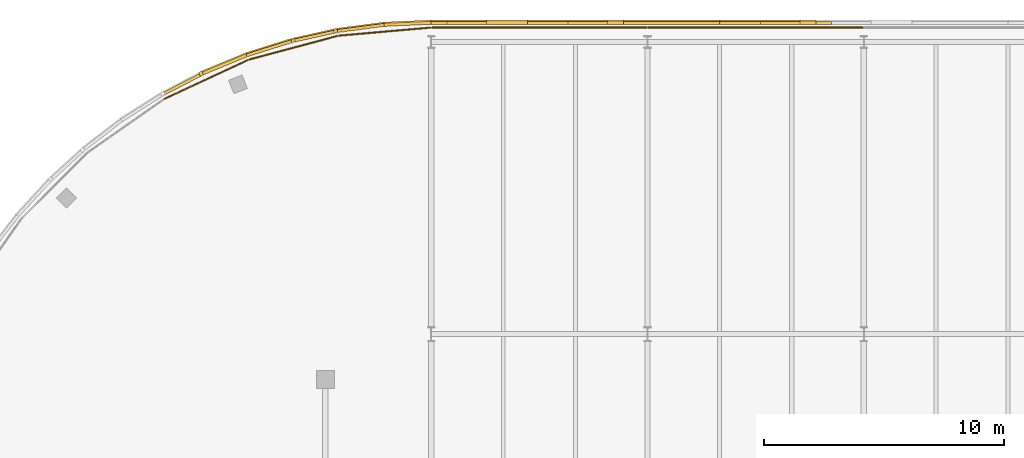
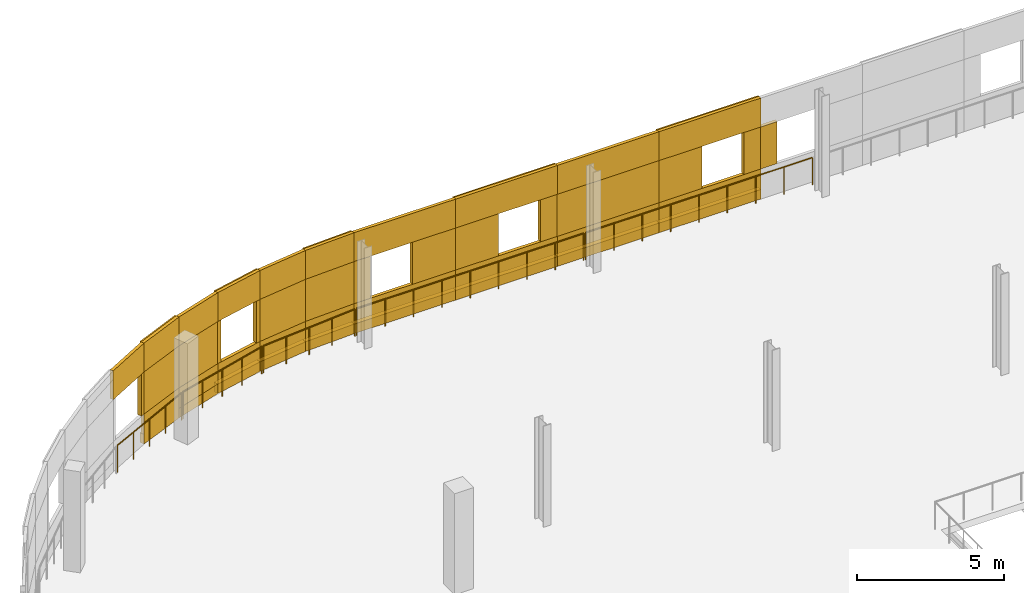
# One storey, part 80 of 88: 48 coverings, 5 railings.
"""IFC4 building model written with IfcOpenShell, lengths in metres."""

from ifc_helpers import new_model, si_unit, direction, frame, origin, origin_2d, place, context, subcontext, project, spatial, rectangle, circle, extrude, material, layer, layer_set, type_object, element, save


model = new_model("IFC4")

# Units and contexts
model_context = context("Model", 3, precision=1e-05, world=origin(), true_north=direction((0.0, 1.0)))
body_context = subcontext(model_context, "Body", "Model", "MODEL_VIEW")
ifc_project = project(units=[si_unit("LENGTHUNIT", "METRE"), si_unit("AREAUNIT", "SQUARE_METRE"), si_unit("VOLUMEUNIT", "CUBIC_METRE"), si_unit("PLANEANGLEUNIT", "RADIAN"), si_unit("MASSUNIT", "GRAM", prefix="KILO")], contexts=[model_context])

# Site, building, storey
site_placement = place(None, origin())
site = spatial("IfcSite", under=ifc_project, at=site_placement, CompositionType="ELEMENT")
building_placement = place(site_placement, origin())
building = spatial("IfcBuilding", under=site, at=building_placement, Name="Deido Ridge Mobility Hub", CompositionType="ELEMENT")
storey_placement = place(building_placement, frame((0.0, 0.0, 16.800048828125)))
storey = spatial("IfcBuildingStorey", under=building, at=storey_placement, Name="L04", CompositionType="ELEMENT", Elevation=16.800048828125)

# Coverings
ifc_material_1 = material(Name="Fired clay brick masonry", Category="masonry")
ifc_layer = layer(ifc_material_1, 0.114990234375, Name="Fired clay brick masonry")
ifc_layer_set = layer_set([ifc_layer], Name="Fired clay brick masonry")
covering_type = type_object("IfcCoveringType", Name="COV-BRK-SCREEN-115", PredefinedType="CLADDING", material=ifc_layer_set)
covering_1_placement = place(storey_placement, frame((61.327392578125, 125.947509765625, 1.25), z_axis=(0.0, 0.0, 1.0), x_axis=(-1.0, 0.0, 0.0)))
element("IfcCovering", 1, at=covering_1_placement, inside=storey, type_object=covering_type, Name="Open brickwork pier BKS1 (L04)", PredefinedType="CLADDING", context=body_context, shape_type="SweptSolid", body=[
    extrude(rectangle(XDim=0.655029296875, YDim=0.125, at=origin_2d()), origin(), (0.0, 0.0, 1.0), 1.75),
])
covering_2_placement = place(storey_placement, frame((59.0, 125.947509765625, 0.0), z_axis=(0.0, 0.0, 1.0), x_axis=(-1.0, 0.0, 0.0)))
element("IfcCovering", 2, at=covering_2_placement, inside=storey, type_object=covering_type, Name="Open brickwork spandrel course BKS1 (L04)", PredefinedType="CLADDING", context=body_context, shape_type="SweptSolid", body=[
    extrude(rectangle(XDim=4.01611328125, YDim=0.125, at=origin_2d()), origin(), (0.0, 0.0, 1.0), 1.25),
])
covering_3_placement = place(storey_placement, frame((59.0, 125.97509765625, 0.0), z_axis=(0.0, 0.0, 1.0), x_axis=(-1.0, 0.0, 0.0)))
element("IfcCovering", 3, at=covering_3_placement, inside=storey, type_object=covering_type, Name="Raised brick relief belt BKS1 (L04)", PredefinedType="CLADDING", context=body_context, shape_type="SweptSolid", body=[
    extrude(rectangle(XDim=4.01611328125, YDim=0.179931640625, at=origin_2d()), origin(), (0.0, 0.0, 1.0), 0.39990234375),
])
covering_4_placement = place(storey_placement, frame((59.0, 125.947509765625, 3.0), z_axis=(0.0, 0.0, 1.0), x_axis=(-1.0, 0.0, 0.0)))
element("IfcCovering", 4, at=covering_4_placement, inside=storey, type_object=covering_type, Name="Open brickwork lintel course BKS1 (L04)", PredefinedType="CLADDING", context=body_context, shape_type="SweptSolid", body=[
    extrude(rectangle(XDim=4.01611328125, YDim=0.125, at=origin_2d()), origin(), (0.0, 0.0, 1.0), 1.199951171875),
])
covering_5_placement = place(storey_placement, frame((59.0, 125.97509765625, 3.83984375), z_axis=(0.0, 0.0, 1.0), x_axis=(-1.0, 0.0, 0.0)))
element("IfcCovering", 5, at=covering_5_placement, inside=storey, type_object=covering_type, Name="Raised brick relief cornice BKS1 (L04)", PredefinedType="CLADDING", context=body_context, shape_type="SweptSolid", body=[
    extrude(rectangle(XDim=4.01611328125, YDim=0.179931640625, at=origin_2d()), origin(), (0.0, 0.0, 1.0), 0.360107421875),
])
covering_6_placement = place(storey_placement, frame((60.672607421875, 125.97509765625, 1.25), z_axis=(0.0, 0.0, 1.0), x_axis=(-1.0, 0.0, 0.0)))
element("IfcCovering", 6, at=covering_6_placement, inside=storey, type_object=covering_type, Name="Open brickwork pier BKS1 (L04)", PredefinedType="CLADDING", context=body_context, shape_type="SweptSolid", body=[
    extrude(rectangle(XDim=0.655029296875, YDim=0.179931640625, at=origin_2d()), origin(), (0.0, 0.0, 1.0), 1.75),
])
covering_7_placement = place(storey_placement, frame((57.847412109375, 125.947509765625, 1.25), z_axis=(0.0, 0.0, 1.0), x_axis=(-1.0, 0.0, 0.0)))
element("IfcCovering", 7, at=covering_7_placement, inside=storey, type_object=covering_type, Name="Open brickwork pier BKS1 (L04)", PredefinedType="CLADDING", context=body_context, shape_type="SweptSolid", body=[
    extrude(rectangle(XDim=1.695068359375, YDim=0.125, at=origin_2d()), origin(), (0.0, 0.0, 1.0), 1.75),
])
covering_8_placement = place(storey_placement, frame((55.0, 125.947509765625, 0.0), z_axis=(0.0, 0.0, 1.0), x_axis=(-1.0, 0.0, 0.0)))
element("IfcCovering", 8, at=covering_8_placement, inside=storey, type_object=covering_type, Name="Open brickwork spandrel course BKS1 (L04)", PredefinedType="CLADDING", context=body_context, shape_type="SweptSolid", body=[
    extrude(rectangle(XDim=4.01611328125, YDim=0.125, at=origin_2d()), origin(), (0.0, 0.0, 1.0), 1.25),
])
covering_9_placement = place(storey_placement, frame((55.0, 125.97509765625, 0.0), z_axis=(0.0, 0.0, 1.0), x_axis=(-1.0, 0.0, 0.0)))
element("IfcCovering", 9, at=covering_9_placement, inside=storey, type_object=covering_type, Name="Raised brick relief belt BKS1 (L04)", PredefinedType="CLADDING", context=body_context, shape_type="SweptSolid", body=[
    extrude(rectangle(XDim=4.01611328125, YDim=0.179931640625, at=origin_2d()), origin(), (0.0, 0.0, 1.0), 0.39990234375),
])
covering_10_placement = place(storey_placement, frame((55.0, 125.947509765625, 3.0), z_axis=(0.0, 0.0, 1.0), x_axis=(-1.0, 0.0, 0.0)))
element("IfcCovering", 10, at=covering_10_placement, inside=storey, type_object=covering_type, Name="Open brickwork lintel course BKS1 (L04)", PredefinedType="CLADDING", context=body_context, shape_type="SweptSolid", body=[
    extrude(rectangle(XDim=4.01611328125, YDim=0.125, at=origin_2d()), origin(), (0.0, 0.0, 1.0), 1.199951171875),
])
covering_11_placement = place(storey_placement, frame((55.0, 125.97509765625, 1.25), z_axis=(0.0, 0.0, 1.0), x_axis=(-1.0, 0.0, 0.0)))
element("IfcCovering", 11, at=covering_11_placement, inside=storey, type_object=covering_type, Name="Raised brick relief panel BKS1 (L04)", PredefinedType="CLADDING", context=body_context, shape_type="SweptSolid", body=[
    extrude(rectangle(XDim=4.008056640625, YDim=0.179931640625, at=origin_2d()), origin(), (0.0, 0.0, 1.0), 1.75),
])
covering_12_placement = place(storey_placement, frame((51.0, 125.947509765625, 0.0), z_axis=(0.0, 0.0, 1.0), x_axis=(-1.0, 0.0, 0.0)))
element("IfcCovering", 12, at=covering_12_placement, inside=storey, type_object=covering_type, Name="Open brickwork spandrel course BKS1 (L04)", PredefinedType="CLADDING", context=body_context, shape_type="SweptSolid", body=[
    extrude(rectangle(XDim=4.01611328125, YDim=0.125, at=origin_2d()), origin(), (0.0, 0.0, 1.0), 1.25),
])
covering_13_placement = place(storey_placement, frame((51.0, 125.97509765625, 0.0), z_axis=(0.0, 0.0, 1.0), x_axis=(-1.0, 0.0, 0.0)))
element("IfcCovering", 13, at=covering_13_placement, inside=storey, type_object=covering_type, Name="Raised brick relief belt BKS1 (L04)", PredefinedType="CLADDING", context=body_context, shape_type="SweptSolid", body=[
    extrude(rectangle(XDim=4.01611328125, YDim=0.179931640625, at=origin_2d()), origin(), (0.0, 0.0, 1.0), 0.39990234375),
])
covering_14_placement = place(storey_placement, frame((51.0, 125.947509765625, 3.0), z_axis=(0.0, 0.0, 1.0), x_axis=(-1.0, 0.0, 0.0)))
element("IfcCovering", 14, at=covering_14_placement, inside=storey, type_object=covering_type, Name="Open brickwork lintel course BKS1 (L04)", PredefinedType="CLADDING", context=body_context, shape_type="SweptSolid", body=[
    extrude(rectangle(XDim=4.01611328125, YDim=0.125, at=origin_2d()), origin(), (0.0, 0.0, 1.0), 1.199951171875),
])
covering_15_placement = place(storey_placement, frame((51.0, 125.97509765625, 3.83984375), z_axis=(0.0, 0.0, 1.0), x_axis=(-1.0, 0.0, 0.0)))
element("IfcCovering", 15, at=covering_15_placement, inside=storey, type_object=covering_type, Name="Raised brick relief cornice BKS1 (L04)", PredefinedType="CLADDING", context=body_context, shape_type="SweptSolid", body=[
    extrude(rectangle(XDim=4.01611328125, YDim=0.179931640625, at=origin_2d()), origin(), (0.0, 0.0, 1.0), 0.360107421875),
])
covering_16_placement = place(storey_placement, frame((52.672607421875, 125.97509765625, 1.25), z_axis=(0.0, 0.0, 1.0), x_axis=(-1.0, 0.0, 0.0)))
element("IfcCovering", 16, at=covering_16_placement, inside=storey, type_object=covering_type, Name="Open brickwork pier BKS1 (L04)", PredefinedType="CLADDING", context=body_context, shape_type="SweptSolid", body=[
    extrude(rectangle(XDim=0.655029296875, YDim=0.179931640625, at=origin_2d()), origin(), (0.0, 0.0, 1.0), 1.75),
])
covering_17_placement = place(storey_placement, frame((49.847412109375, 125.947509765625, 1.25), z_axis=(0.0, 0.0, 1.0), x_axis=(-1.0, 0.0, 0.0)))
element("IfcCovering", 17, at=covering_17_placement, inside=storey, type_object=covering_type, Name="Open brickwork pier BKS1 (L04)", PredefinedType="CLADDING", context=body_context, shape_type="SweptSolid", body=[
    extrude(rectangle(XDim=1.695068359375, YDim=0.125, at=origin_2d()), origin(), (0.0, 0.0, 1.0), 1.75),
])
covering_18_placement = place(storey_placement, frame((47.0, 125.947509765625, 0.0), z_axis=(0.0, 0.0, 1.0), x_axis=(-1.0, 0.0, 0.0)))
element("IfcCovering", 18, at=covering_18_placement, inside=storey, type_object=covering_type, Name="Open brickwork spandrel course BKS1 (L04)", PredefinedType="CLADDING", context=body_context, shape_type="SweptSolid", body=[
    extrude(rectangle(XDim=4.01611328125, YDim=0.125, at=origin_2d()), origin(), (0.0, 0.0, 1.0), 1.25),
])
covering_19_placement = place(storey_placement, frame((47.0, 125.97509765625, 0.0), z_axis=(0.0, 0.0, 1.0), x_axis=(-1.0, 0.0, 0.0)))
element("IfcCovering", 19, at=covering_19_placement, inside=storey, type_object=covering_type, Name="Raised brick relief belt BKS1 (L04)", PredefinedType="CLADDING", context=body_context, shape_type="SweptSolid", body=[
    extrude(rectangle(XDim=4.01611328125, YDim=0.179931640625, at=origin_2d()), origin(), (0.0, 0.0, 1.0), 0.39990234375),
])
covering_20_placement = place(storey_placement, frame((47.0, 125.947509765625, 3.0), z_axis=(0.0, 0.0, 1.0), x_axis=(-1.0, 0.0, 0.0)))
element("IfcCovering", 20, at=covering_20_placement, inside=storey, type_object=covering_type, Name="Open brickwork lintel course BKS1 (L04)", PredefinedType="CLADDING", context=body_context, shape_type="SweptSolid", body=[
    extrude(rectangle(XDim=4.01611328125, YDim=0.125, at=origin_2d()), origin(), (0.0, 0.0, 1.0), 1.199951171875),
])
covering_21_placement = place(storey_placement, frame((48.152587890625, 125.97509765625, 1.25), z_axis=(0.0, 0.0, 1.0), x_axis=(-1.0, 0.0, 0.0)))
element("IfcCovering", 21, at=covering_21_placement, inside=storey, type_object=covering_type, Name="Open brickwork pier BKS1 (L04)", PredefinedType="CLADDING", context=body_context, shape_type="SweptSolid", body=[
    extrude(rectangle(XDim=1.695068359375, YDim=0.179931640625, at=origin_2d()), origin(), (0.0, 0.0, 1.0), 1.75),
])
covering_22_placement = place(storey_placement, frame((45.327392578125, 125.947509765625, 1.25), z_axis=(0.0, 0.0, 1.0), x_axis=(-1.0, 0.0, 0.0)))
element("IfcCovering", 22, at=covering_22_placement, inside=storey, type_object=covering_type, Name="Open brickwork pier BKS1 (L04)", PredefinedType="CLADDING", context=body_context, shape_type="SweptSolid", body=[
    extrude(rectangle(XDim=0.655029296875, YDim=0.125, at=origin_2d()), origin(), (0.0, 0.0, 1.0), 1.75),
])
covering_23_placement = place(storey_placement, frame((44.021728515625, 125.90478515625, 0.0), z_axis=(0.0, 0.0, 1.0), x_axis=(-0.999048982732, -0.043601950678, 0.0)))
element("IfcCovering", 23, at=covering_23_placement, inside=storey, type_object=covering_type, Name="Open brickwork spandrel course BKS1 (L04)", PredefinedType="CLADDING", context=body_context, shape_type="SweptSolid", body=[
    extrude(rectangle(XDim=1.9619140625, YDim=0.125, at=origin_2d()), origin(), (0.0, 0.0, 1.0), 1.25),
])
covering_24_placement = place(storey_placement, frame((44.0205078125, 125.932373046875, 0.0), z_axis=(0.0, 0.0, 1.0), x_axis=(-0.999048982732, -0.043601950678, 0.0)))
element("IfcCovering", 24, at=covering_24_placement, inside=storey, type_object=covering_type, Name="Raised brick relief belt BKS1 (L04)", PredefinedType="CLADDING", context=body_context, shape_type="SweptSolid", body=[
    extrude(rectangle(XDim=1.9619140625, YDim=0.179931640625, at=origin_2d()), origin(), (0.0, 0.0, 1.0), 0.39990234375),
])
covering_25_placement = place(storey_placement, frame((44.021728515625, 125.90478515625, 3.0), z_axis=(0.0, 0.0, 1.0), x_axis=(-0.999048982732, -0.043601950678, 0.0)))
element("IfcCovering", 25, at=covering_25_placement, inside=storey, type_object=covering_type, Name="Open brickwork lintel course BKS1 (L04)", PredefinedType="CLADDING", context=body_context, shape_type="SweptSolid", body=[
    extrude(rectangle(XDim=1.9619140625, YDim=0.125, at=origin_2d()), origin(), (0.0, 0.0, 1.0), 1.199951171875),
])
covering_26_placement = place(storey_placement, frame((44.0205078125, 125.932373046875, 3.83984375), z_axis=(0.0, 0.0, 1.0), x_axis=(-0.999048982732, -0.043601950678, 0.0)))
element("IfcCovering", 26, at=covering_26_placement, inside=storey, type_object=covering_type, Name="Raised brick relief cornice BKS1 (L04)", PredefinedType="CLADDING", context=body_context, shape_type="SweptSolid", body=[
    extrude(rectangle(XDim=1.9619140625, YDim=0.179931640625, at=origin_2d()), origin(), (0.0, 0.0, 1.0), 0.360107421875),
])
covering_27_placement = place(storey_placement, frame((44.0205078125, 125.932373046875, 1.25), z_axis=(0.0, 0.0, 1.0), x_axis=(-0.999048982732, -0.043601950678, 0.0)))
element("IfcCovering", 27, at=covering_27_placement, inside=storey, type_object=covering_type, Name="Curved raised brickwork pier BKS1 (L04)", PredefinedType="CLADDING", context=body_context, shape_type="SweptSolid", body=[
    extrude(rectangle(XDim=1.9619140625, YDim=0.179931640625, at=origin_2d()), origin(), (0.0, 0.0, 1.0), 1.75),
])
covering_28_placement = place(storey_placement, frame((42.07275390625, 125.734375, 0.0), z_axis=(0.0, 0.0, 1.0), x_axis=(-0.991442583111, -0.130543496177, 0.0)))
element("IfcCovering", 28, at=covering_28_placement, inside=storey, type_object=covering_type, Name="Open brickwork spandrel course BKS1 (L04)", PredefinedType="CLADDING", context=body_context, shape_type="SweptSolid", body=[
    extrude(rectangle(XDim=1.9619140625, YDim=0.125, at=origin_2d()), origin(), (0.0, 0.0, 1.0), 1.25),
])
covering_29_placement = place(storey_placement, frame((42.069091796875, 125.76171875, 0.0), z_axis=(0.0, 0.0, 1.0), x_axis=(-0.991442583111, -0.130543496177, 0.0)))
element("IfcCovering", 29, at=covering_29_placement, inside=storey, type_object=covering_type, Name="Raised brick relief belt BKS1 (L04)", PredefinedType="CLADDING", context=body_context, shape_type="SweptSolid", body=[
    extrude(rectangle(XDim=1.9619140625, YDim=0.179931640625, at=origin_2d()), origin(), (0.0, 0.0, 1.0), 0.39990234375),
])
covering_30_placement = place(storey_placement, frame((42.07275390625, 125.734375, 3.0), z_axis=(0.0, 0.0, 1.0), x_axis=(-0.991442583111, -0.130543496177, 0.0)))
element("IfcCovering", 30, at=covering_30_placement, inside=storey, type_object=covering_type, Name="Open brickwork lintel course BKS1 (L04)", PredefinedType="CLADDING", context=body_context, shape_type="SweptSolid", body=[
    extrude(rectangle(XDim=1.9619140625, YDim=0.125, at=origin_2d()), origin(), (0.0, 0.0, 1.0), 1.199951171875),
])
covering_31_placement = place(storey_placement, frame((42.07275390625, 125.734375, 1.25), z_axis=(0.0, 0.0, 1.0), x_axis=(-0.991442583111, -0.130543496177, 0.0)))
element("IfcCovering", 31, at=covering_31_placement, inside=storey, type_object=covering_type, Name="Curved raised brickwork pier BKS1 (L04)", PredefinedType="CLADDING", context=body_context, shape_type="SweptSolid", body=[
    extrude(rectangle(XDim=1.9619140625, YDim=0.125, at=origin_2d()), origin(), (0.0, 0.0, 1.0), 1.75),
])
covering_32_placement = place(storey_placement, frame((40.14599609375, 125.39453125, 0.0), z_axis=(0.0, 0.0, 1.0), x_axis=(-0.976292229387, -0.216456653485, 0.0)))
element("IfcCovering", 32, at=covering_32_placement, inside=storey, type_object=covering_type, Name="Open brickwork spandrel course BKS1 (L04)", PredefinedType="CLADDING", context=body_context, shape_type="SweptSolid", body=[
    extrude(rectangle(XDim=1.9619140625, YDim=0.125, at=origin_2d()), origin(), (0.0, 0.0, 1.0), 1.25),
])
covering_33_placement = place(storey_placement, frame((40.14013671875, 125.42138671875, 0.0), z_axis=(0.0, 0.0, 1.0), x_axis=(-0.976292229387, -0.216456653485, 0.0)))
element("IfcCovering", 33, at=covering_33_placement, inside=storey, type_object=covering_type, Name="Raised brick relief belt BKS1 (L04)", PredefinedType="CLADDING", context=body_context, shape_type="SweptSolid", body=[
    extrude(rectangle(XDim=1.9619140625, YDim=0.179931640625, at=origin_2d()), origin(), (0.0, 0.0, 1.0), 0.39990234375),
])
covering_34_placement = place(storey_placement, frame((40.14599609375, 125.39453125, 3.0), z_axis=(0.0, 0.0, 1.0), x_axis=(-0.976292229387, -0.216456653485, 0.0)))
element("IfcCovering", 34, at=covering_34_placement, inside=storey, type_object=covering_type, Name="Open brickwork lintel course BKS1 (L04)", PredefinedType="CLADDING", context=body_context, shape_type="SweptSolid", body=[
    extrude(rectangle(XDim=1.9619140625, YDim=0.125, at=origin_2d()), origin(), (0.0, 0.0, 1.0), 1.199951171875),
])
covering_35_placement = place(storey_placement, frame((40.14013671875, 125.42138671875, 3.83984375), z_axis=(0.0, 0.0, 1.0), x_axis=(-0.976292229387, -0.216456653485, 0.0)))
element("IfcCovering", 35, at=covering_35_placement, inside=storey, type_object=covering_type, Name="Raised brick relief cornice BKS1 (L04)", PredefinedType="CLADDING", context=body_context, shape_type="SweptSolid", body=[
    extrude(rectangle(XDim=1.9619140625, YDim=0.179931640625, at=origin_2d()), origin(), (0.0, 0.0, 1.0), 0.360107421875),
])
for number, where, z_axis, x_axis, name in (
    (36, (41.019775390625, 125.616455078125, 1.25), (0.0, 0.0, 1.0), (-0.976292229387, -0.216456653485, 0.0), "Curved brick jamb nib BKS1 (L04)"),
    (37, (39.260498046875, 125.226318359375, 1.25), (0.0, 0.0, 1.0), (-0.976292229387, -0.216456653485, 0.0), "Curved brick jamb nib BKS1 (L04)"),
):
    element("IfcCovering", number, at=place(storey_placement, frame(where, z_axis=z_axis, x_axis=x_axis)), inside=storey, type_object=covering_type, Name=name, PredefinedType="CLADDING", context=body_context, shape_type="SweptSolid", body=[
        extrude(rectangle(XDim=0.152099609375, YDim=0.179931640625, at=origin_2d()), origin(), (0.0, 0.0, 1.0), 1.75),
    ])
covering_36_placement = place(storey_placement, frame((38.25634765625, 124.88818359375, 0.0), z_axis=(0.0, 0.0, 1.0), x_axis=(-0.95372744678, -0.300672508319, 0.0)))
element("IfcCovering", 38, at=covering_36_placement, inside=storey, type_object=covering_type, Name="Open brickwork spandrel course BKS1 (L04)", PredefinedType="CLADDING", context=body_context, shape_type="SweptSolid", body=[
    extrude(rectangle(XDim=1.9619140625, YDim=0.125, at=origin_2d()), origin(), (0.0, 0.0, 1.0), 1.25),
])
covering_37_placement = place(storey_placement, frame((38.248046875, 124.914306640625, 0.0), z_axis=(0.0, 0.0, 1.0), x_axis=(-0.95372744678, -0.300672508319, 0.0)))
element("IfcCovering", 39, at=covering_37_placement, inside=storey, type_object=covering_type, Name="Raised brick relief belt BKS1 (L04)", PredefinedType="CLADDING", context=body_context, shape_type="SweptSolid", body=[
    extrude(rectangle(XDim=1.9619140625, YDim=0.179931640625, at=origin_2d()), origin(), (0.0, 0.0, 1.0), 0.39990234375),
])
covering_38_placement = place(storey_placement, frame((38.25634765625, 124.88818359375, 3.0), z_axis=(0.0, 0.0, 1.0), x_axis=(-0.95372744678, -0.300672508319, 0.0)))
element("IfcCovering", 40, at=covering_38_placement, inside=storey, type_object=covering_type, Name="Open brickwork lintel course BKS1 (L04)", PredefinedType="CLADDING", context=body_context, shape_type="SweptSolid", body=[
    extrude(rectangle(XDim=1.9619140625, YDim=0.125, at=origin_2d()), origin(), (0.0, 0.0, 1.0), 1.199951171875),
])
covering_39_placement = place(storey_placement, frame((38.25634765625, 124.88818359375, 1.25), z_axis=(0.0, 0.0, 1.0), x_axis=(-0.95372744678, -0.300672508319, 0.0)))
element("IfcCovering", 41, at=covering_39_placement, inside=storey, type_object=covering_type, Name="Curved raised brickwork pier BKS1 (L04)", PredefinedType="CLADDING", context=body_context, shape_type="SweptSolid", body=[
    extrude(rectangle(XDim=1.9619140625, YDim=0.125, at=origin_2d()), origin(), (0.0, 0.0, 1.0), 1.75),
])
covering_40_placement = place(storey_placement, frame((36.41796875, 124.218994140625, 0.0), z_axis=(0.0, 0.0, 1.0), x_axis=(-0.923872853285, -0.382699557047, 0.0)))
element("IfcCovering", 42, at=covering_40_placement, inside=storey, type_object=covering_type, Name="Open brickwork spandrel course BKS1 (L04)", PredefinedType="CLADDING", context=body_context, shape_type="SweptSolid", body=[
    extrude(rectangle(XDim=1.9619140625, YDim=0.125, at=origin_2d()), origin(), (0.0, 0.0, 1.0), 1.25),
])
covering_41_placement = place(storey_placement, frame((36.4072265625, 124.244384765625, 0.0), z_axis=(0.0, 0.0, 1.0), x_axis=(-0.923872853285, -0.382699557047, 0.0)))
element("IfcCovering", 43, at=covering_41_placement, inside=storey, type_object=covering_type, Name="Raised brick relief belt BKS1 (L04)", PredefinedType="CLADDING", context=body_context, shape_type="SweptSolid", body=[
    extrude(rectangle(XDim=1.9619140625, YDim=0.179931640625, at=origin_2d()), origin(), (0.0, 0.0, 1.0), 0.39990234375),
])
covering_42_placement = place(storey_placement, frame((36.41796875, 124.218994140625, 3.0), z_axis=(0.0, 0.0, 1.0), x_axis=(-0.923872853285, -0.382699557047, 0.0)))
element("IfcCovering", 44, at=covering_42_placement, inside=storey, type_object=covering_type, Name="Open brickwork lintel course BKS1 (L04)", PredefinedType="CLADDING", context=body_context, shape_type="SweptSolid", body=[
    extrude(rectangle(XDim=1.9619140625, YDim=0.125, at=origin_2d()), origin(), (0.0, 0.0, 1.0), 1.199951171875),
])
covering_43_placement = place(storey_placement, frame((36.4072265625, 124.244384765625, 3.83984375), z_axis=(0.0, 0.0, 1.0), x_axis=(-0.923872853285, -0.382699557047, 0.0)))
element("IfcCovering", 45, at=covering_43_placement, inside=storey, type_object=covering_type, Name="Raised brick relief cornice BKS1 (L04)", PredefinedType="CLADDING", context=body_context, shape_type="SweptSolid", body=[
    extrude(rectangle(XDim=1.9619140625, YDim=0.179931640625, at=origin_2d()), origin(), (0.0, 0.0, 1.0), 0.360107421875),
])
covering_44_placement = place(storey_placement, frame((36.4072265625, 124.244384765625, 1.25), z_axis=(0.0, 0.0, 1.0), x_axis=(-0.923872853285, -0.382699557047, 0.0)))
element("IfcCovering", 46, at=covering_44_placement, inside=storey, type_object=covering_type, Name="Curved raised brickwork pier BKS1 (L04)", PredefinedType="CLADDING", context=body_context, shape_type="SweptSolid", body=[
    extrude(rectangle(XDim=1.9619140625, YDim=0.179931640625, at=origin_2d()), origin(), (0.0, 0.0, 1.0), 1.75),
])
covering_45_placement = place(storey_placement, frame((34.644775390625, 123.392333984375, 3.0), z_axis=(0.0, 0.0, 1.0), x_axis=(-0.887018892077, -0.461733131905, 0.0)))
element("IfcCovering", 47, at=covering_45_placement, inside=storey, type_object=covering_type, Name="Open brickwork lintel course BKS1 (L04)", PredefinedType="CLADDING", context=body_context, shape_type="SweptSolid", body=[
    extrude(rectangle(XDim=1.9619140625, YDim=0.125, at=origin_2d()), origin(), (0.0, 0.0, 1.0), 1.199951171875),
])
covering_46_placement = place(storey_placement, frame((35.431396484375, 123.832763671875, 1.25), z_axis=(0.0, 0.0, 1.0), x_axis=(-0.887018892077, -0.461733131905, 0.0)))
element("IfcCovering", 48, at=covering_46_placement, inside=storey, type_object=covering_type, Name="Curved brick jamb nib BKS1 (L04)", PredefinedType="CLADDING", context=body_context, shape_type="SweptSolid", body=[
    extrude(rectangle(XDim=0.152099609375, YDim=0.179931640625, at=origin_2d()), origin(), (0.0, 0.0, 1.0), 1.75),
])

# Railings
ifc_material_2 = material(Name="Galvanised steel work", Category="steel")
railing_type = type_object("IfcRailingType", Name="RL-GRD-EXT-1150", PredefinedType="GUARDRAIL", material=ifc_material_2)
for number, where, name in (
    (49, (62.9599609375, 125.75, 0.0), "Parking drum perimeter guard (L04)"),
    (50, (53.9599609375, 125.75, 0.0), "Parking drum perimeter guard (L04)"),
):
    element("IfcRailing", number, at=place(storey_placement, frame(where)), inside=storey, type_object=railing_type, Name=name, PredefinedType="GUARDRAIL", context=body_context, shape_type="SweptSolid", body=[
        extrude(circle(Radius=0.02392578125, at=origin_2d()), frame((0.0, 0.0, 1.1259765625), z_axis=(-1.0, 0.0, 0.0), x_axis=(0.0, -1.0, 0.0)), (0.0, 0.0, 1.0), 8.919921875),
        extrude(circle(Radius=0.02099609375, at=origin_2d()), origin(), (0.0, 0.0, 1.0), 1.101806640625),
        extrude(circle(Radius=0.02099609375, at=origin_2d()), frame((-1.114990234375, 0.0, 0.0)), (0.0, 0.0, 1.0), 1.101806640625),
        extrude(circle(Radius=0.02099609375, at=origin_2d()), frame((-2.22998046875, 0.0, 0.0)), (0.0, 0.0, 1.0), 1.101806640625),
        extrude(circle(Radius=0.02099609375, at=origin_2d()), frame((-3.344970703125, 0.0, 0.0)), (0.0, 0.0, 1.0), 1.101806640625),
        extrude(circle(Radius=0.02099609375, at=origin_2d()), frame((-4.4599609375, 0.0, 0.0)), (0.0, 0.0, 1.0), 1.101806640625),
        extrude(circle(Radius=0.02099609375, at=origin_2d()), frame((-5.574951171875, 0.0, 0.0)), (0.0, 0.0, 1.0), 1.101806640625),
        extrude(circle(Radius=0.02099609375, at=origin_2d()), frame((-6.68994140625, 0.0, 0.0)), (0.0, 0.0, 1.0), 1.101806640625),
        extrude(circle(Radius=0.02099609375, at=origin_2d()), frame((-7.804931640625, 0.0, 0.0)), (0.0, 0.0, 1.0), 1.101806640625),
        extrude(circle(Radius=0.02099609375, at=origin_2d()), frame((-8.919921875, 0.0, 0.0)), (0.0, 0.0, 1.0), 1.101806640625),
    ])
railing_1_placement = place(storey_placement, frame((44.960205078125, 125.74658203125, 0.0)))
element("IfcRailing", 51, at=railing_1_placement, inside=storey, type_object=railing_type, Name="Parking drum perimeter guard (L04)", PredefinedType="GUARDRAIL", context=body_context, shape_type="SweptSolid", body=[
    extrude(circle(Radius=0.02392578125, at=origin_2d()), frame((0.0, 0.0, 1.1259765625), z_axis=(-0.996195112607, -0.08715100469, 0.0), x_axis=(0.08715100469, -0.996195112607, 0.0)), (0.0, 0.0, 1.0), 3.798583984375),
    extrude(circle(Radius=0.02099609375, at=origin_2d()), origin(), (0.0, 0.0, 1.0), 1.101806640625),
    extrude(circle(Radius=0.02099609375, at=origin_2d()), frame((-0.946044921875, -0.082763671875, 0.0)), (0.0, 0.0, 1.0), 1.101806640625),
    extrude(circle(Radius=0.02099609375, at=origin_2d()), frame((-1.89208984375, -0.16552734375, 0.0)), (0.0, 0.0, 1.0), 1.101806640625),
    extrude(circle(Radius=0.02099609375, at=origin_2d()), frame((-2.838134765625, -0.248291015625, 0.0)), (0.0, 0.0, 1.0), 1.101806640625),
    extrude(circle(Radius=0.02099609375, at=origin_2d()), frame((-3.7841796875, -0.3310546875, 0.0)), (0.0, 0.0, 1.0), 1.101806640625),
])
railing_2_placement = place(storey_placement, frame((41.09765625, 125.401611328125, 0.0)))
element("IfcRailing", 52, at=railing_2_placement, inside=storey, type_object=railing_type, Name="Parking drum perimeter guard (L04)", PredefinedType="GUARDRAIL", context=body_context, shape_type="SweptSolid", body=[
    extrude(circle(Radius=0.02392578125, at=origin_2d()), frame((0.0, 0.0, 1.1259765625), z_axis=(-0.965937723757, -0.258774639064, 0.0), x_axis=(0.258774639064, -0.965937723757, 0.0)), (0.0, 0.0, 1.0), 3.79833984375),
    extrude(circle(Radius=0.02099609375, at=origin_2d()), origin(), (0.0, 0.0, 1.0), 1.101806640625),
    extrude(circle(Radius=0.02099609375, at=origin_2d()), frame((-0.917236328125, -0.24560546875, 0.0)), (0.0, 0.0, 1.0), 1.101806640625),
    extrude(circle(Radius=0.02099609375, at=origin_2d()), frame((-1.83447265625, -0.491455078125, 0.0)), (0.0, 0.0, 1.0), 1.101806640625),
    extrude(circle(Radius=0.02099609375, at=origin_2d()), frame((-2.751708984375, -0.7373046875, 0.0)), (0.0, 0.0, 1.0), 1.101806640625),
    extrude(circle(Radius=0.02099609375, at=origin_2d()), frame((-3.6689453125, -0.98291015625, 0.0)), (0.0, 0.0, 1.0), 1.101806640625),
])
railing_3_placement = place(storey_placement, frame((37.353759765625, 124.391357421875, 0.0)))
element("IfcRailing", 53, at=railing_3_placement, inside=storey, type_object=railing_type, Name="Parking drum perimeter guard (L04)", PredefinedType="GUARDRAIL", context=body_context, shape_type="SweptSolid", body=[
    extrude(circle(Radius=0.02392578125, at=origin_2d()), frame((0.0, 0.0, 1.1259765625), z_axis=(-0.906281639574, -0.422674330627, 0.0), x_axis=(0.422674330627, -0.906281639574, 0.0)), (0.0, 0.0, 1.0), 3.79833984375),
    extrude(circle(Radius=0.02099609375, at=origin_2d()), origin(), (0.0, 0.0, 1.0), 1.101806640625),
    extrude(circle(Radius=0.02099609375, at=origin_2d()), frame((-0.860595703125, -0.4013671875, 0.0)), (0.0, 0.0, 1.0), 1.101806640625),
    extrude(circle(Radius=0.02099609375, at=origin_2d()), frame((-1.72119140625, -0.802734375, 0.0)), (0.0, 0.0, 1.0), 1.101806640625),
    extrude(circle(Radius=0.02099609375, at=origin_2d()), frame((-2.581787109375, -1.2041015625, 0.0)), (0.0, 0.0, 1.0), 1.101806640625),
    extrude(circle(Radius=0.02099609375, at=origin_2d()), frame((-3.4423828125, -1.60546875, 0.0)), (0.0, 0.0, 1.0), 1.101806640625),
])

save(model, "model.ifc")
